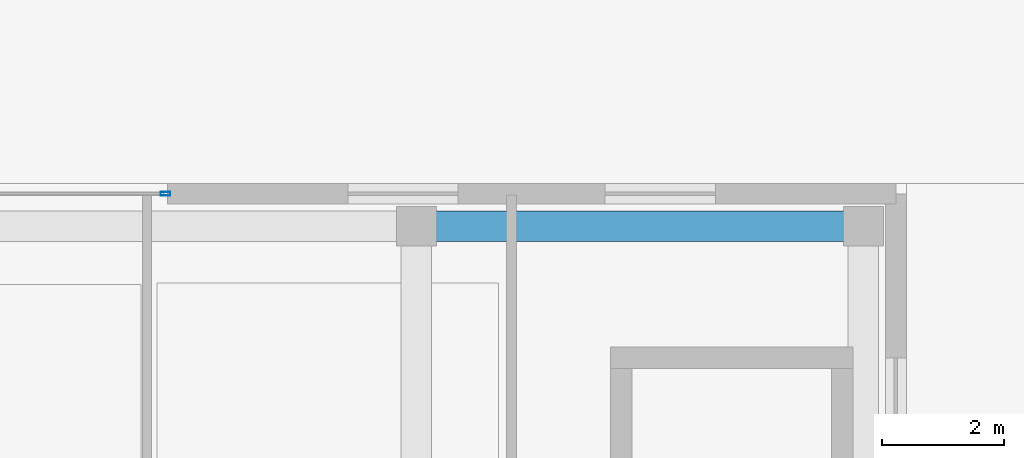
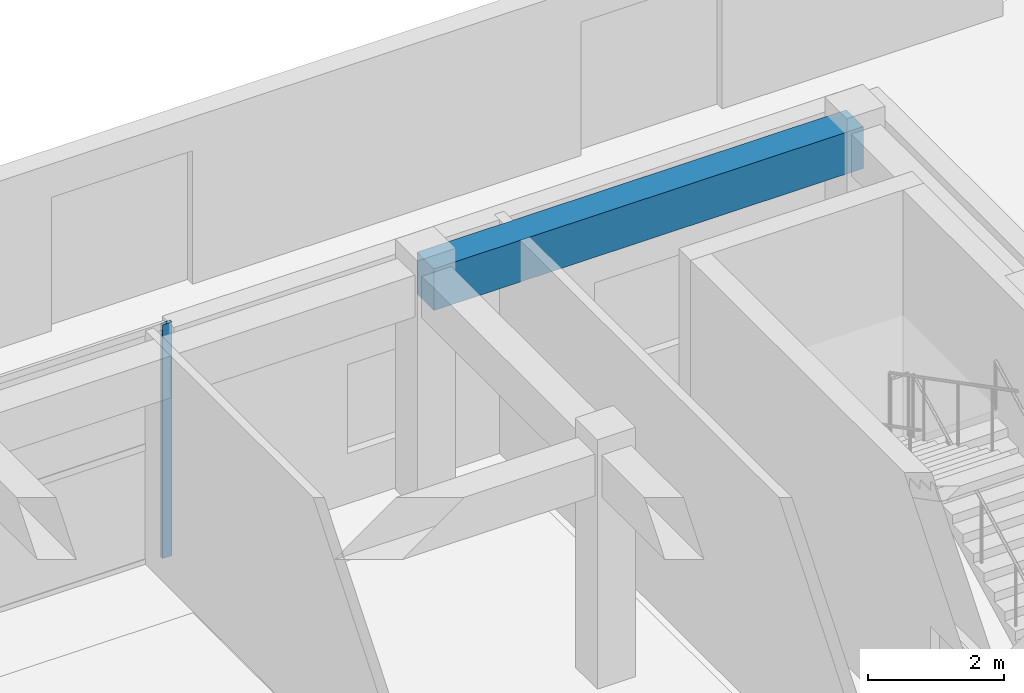
# One storey, part 18 of 39: 1 beam, 1 member, 1 element without a shape of its own.
"""IFC4 building model written with IfcOpenShell, lengths in metres."""

from ifc_helpers import new_model, si_unit, direction, frame, origin, origin_2d, place, context, subcontext, project, spatial, rectangle, hollow_rectangle, extrude, source, transform, mapped, material, layer, layer_set, material_profile, profile_set, type_object, element, aggregate, save


model = new_model("IFC4")

# Units and contexts
model_context = context("Model", 3, precision=1e-05, world=origin(), true_north=direction((0.0, 1.0)))
body_context = subcontext(model_context, "Body", "Model", "MODEL_VIEW")
ifc_project = project(units=[si_unit("LENGTHUNIT", "METRE"), si_unit("AREAUNIT", "SQUARE_METRE"), si_unit("VOLUMEUNIT", "CUBIC_METRE"), si_unit("PLANEANGLEUNIT", "RADIAN"), si_unit("MASSUNIT", "GRAM", prefix="KILO")], contexts=[model_context])

# Site, building, storey
site_placement = place(None, origin())
site = spatial("IfcSite", under=ifc_project, at=site_placement, CompositionType="ELEMENT")
building_placement = place(site_placement, origin())
building = spatial("IfcBuilding", under=site, at=building_placement, Name="Khoralis Quay Care Tower", CompositionType="ELEMENT")
storey_placement = place(building_placement, origin())
storey = spatial("IfcBuildingStorey", under=building, at=storey_placement, Name="L00", CompositionType="ELEMENT", Elevation=0.0)

# Beam
ifc_material_1 = material(Name="Concrete C40/50", Category="concrete")
ifc_material_profile_1 = material_profile(ifc_material_1, rectangle(XDim=0.5, YDim=0.75, at=origin_2d()), Name="Concrete C40/50")
ifc_profile_set_1 = profile_set([ifc_material_profile_1], Name="Concrete C40/50")
beam_type = type_object("IfcBeamType", Name="BM-RC500X750", PredefinedType="BEAM", material=ifc_profile_set_1)
shared_shape_1 = source(origin(), body_context, "Body", "SweptSolid", [
    extrude(rectangle(XDim=0.5, YDim=0.75, at=origin_2d()), origin(), (0.0, 0.0, 1.0), 7.300048828125),
])
beam_placement = place(storey_placement, frame((100.0, 41.300048828125, 3.824951171875), z_axis=(1.0, 0.0, 0.0), x_axis=(0.0, 1.0, 0.0)))
element("IfcBeam", 1, at=beam_placement, inside=storey, type_object=beam_type, Name="BM-SCX-L00-32", PredefinedType="BEAM", context=body_context, shape_type="MappedRepresentation", body=[
    mapped(shared_shape_1, transform((0.0, 0.0, 0.0), scale=1.0)),
])

# Curtain wall, member
ifc_material_2 = material(Name="Pale anodised aluminium", Category="aluminium")
ifc_layer = layer(ifc_material_2, 0.14990234375)
ifc_layer_set = layer_set([ifc_layer], Name="Pale anodised aluminium")
curtain_wall_type = type_object("IfcCurtainWallType", Name="CW-SYS-SCHOOL", PredefinedType="NOTDEFINED", material=ifc_layer_set)
curtain_wall_placement = place(storey_placement, origin())
curtain_wall = element("IfcCurtainWall", 2, at=curtain_wall_placement, inside=storey, type_object=curtain_wall_type, Name="L00 Unitised Curtain Wall CW-SCH-L00-E3", PredefinedType="NOTDEFINED")
ifc_material_profile_2 = material_profile(ifc_material_2, hollow_rectangle(XDim=0.06005859375, YDim=0.159912109375, WallThickness=0.00390625, at=origin_2d()), Name="Pale anodised aluminium")
ifc_profile_set_2 = profile_set([ifc_material_profile_2], Name="Pale anodised aluminium")
member_type = type_object("IfcMemberType", Name="CW-MUL-160", PredefinedType="MULLION", material=ifc_profile_set_2)
shared_shape_2 = source(origin(), body_context, "Body", "SweptSolid", [
    extrude(hollow_rectangle(XDim=0.06005859375, YDim=0.159912109375, WallThickness=0.00390625, at=origin_2d()), origin(), (0.0, 0.0, 1.0), 4.199951171875),
])
member_placement = place(storey_placement, frame((95.902099609375, 41.830078125, 0.0), z_axis=(0.0, 0.0, 1.0), x_axis=(0.0, -1.0, 0.0)))
member = element("IfcMember", 3, at=member_placement, type_object=member_type, Name="CW6 mullion 1", PredefinedType="MULLION", context=body_context, shape_type="MappedRepresentation", body=[
    mapped(shared_shape_2, transform((0.0, 0.0, 0.0), scale=1.0)),
])
aggregate(curtain_wall, [member])

save(model, "model.ifc")
